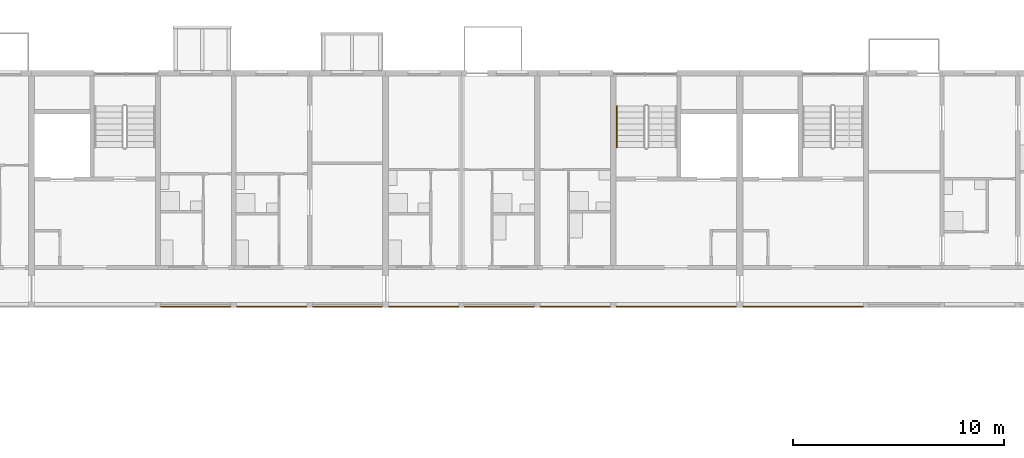
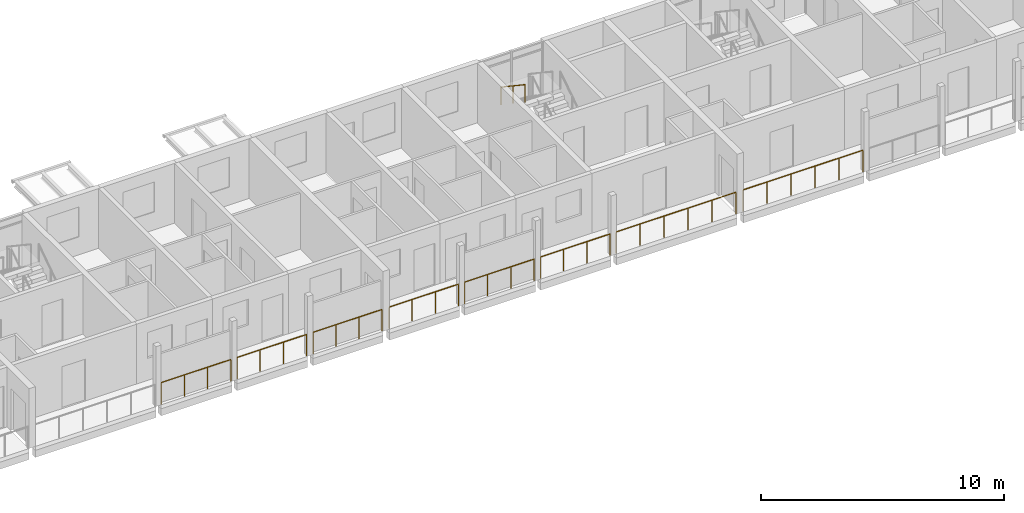
# One storey, part 93 of 100: 9 railings.
"""IFC4 building model written with IfcOpenShell, lengths in metres."""

from ifc_helpers import new_model, si_unit, direction, frame, origin, origin_2d, place, context, subcontext, project, spatial, circle, extrude, material, type_object, element, save


model = new_model("IFC4")

# Units and contexts
model_context = context("Model", 3, precision=1e-05, world=origin(), true_north=direction((0.0, 1.0)))
body_context = subcontext(model_context, "Body", "Model", "MODEL_VIEW")
ifc_project = project(units=[si_unit("LENGTHUNIT", "METRE"), si_unit("AREAUNIT", "SQUARE_METRE"), si_unit("VOLUMEUNIT", "CUBIC_METRE"), si_unit("PLANEANGLEUNIT", "RADIAN"), si_unit("MASSUNIT", "GRAM", prefix="KILO")], contexts=[model_context])

# Site, building, storey
site_placement = place(None, origin())
site = spatial("IfcSite", under=ifc_project, at=site_placement, CompositionType="ELEMENT")
building_placement = place(site_placement, origin())
building = spatial("IfcBuilding", under=site, at=building_placement, Name="Ridgestep Commons", CompositionType="ELEMENT")
storey_placement = place(building_placement, frame((0.0, 0.0, 9.0)))
storey = spatial("IfcBuildingStorey", under=building, at=storey_placement, Name="L03", CompositionType="ELEMENT", Elevation=9.0)

# Railings
ifc_material_1 = material(Name="Structural steel S355JR", Category="steel")
railing_type_1 = type_object("IfcRailingType", Name="Guard 1100", PredefinedType="GUARDRAIL", material=ifc_material_1)
railing_1_placement = place(storey_placement, frame((203.345947265625, 66.050048828125, 0.0)))
element("IfcRailing", 1, at=railing_1_placement, inside=storey, type_object=railing_type_1, Name="Gallery guard C 03.14", PredefinedType="GUARDRAIL", context=body_context, shape_type="SweptSolid", body=[
    extrude(circle(Radius=0.02392578125, at=origin_2d()), frame((0.0, 0.0, 1.076171875), z_axis=(1.0, 0.0, 0.0), x_axis=(0.0, 1.0, 0.0)), (0.0, 0.0, 1.0), 3.30810546875),
    extrude(circle(Radius=0.02099609375, at=origin_2d()), origin(), (0.0, 0.0, 1.0), 1.052001953125),
    extrude(circle(Radius=0.02099609375, at=origin_2d()), frame((1.102783203125, 0.0, 0.0)), (0.0, 0.0, 1.0), 1.052001953125),
    extrude(circle(Radius=0.02099609375, at=origin_2d()), frame((2.205322265625, 0.0, 0.0)), (0.0, 0.0, 1.0), 1.052001953125),
    extrude(circle(Radius=0.02099609375, at=origin_2d()), frame((3.30810546875, 0.0, 0.0)), (0.0, 0.0, 1.0), 1.052001953125),
])
railing_2_placement = place(storey_placement, frame((206.946044921875, 66.050048828125, 0.0)))
element("IfcRailing", 2, at=railing_2_placement, inside=storey, type_object=railing_type_1, Name="Gallery guard C 03.15", PredefinedType="GUARDRAIL", context=body_context, shape_type="SweptSolid", body=[
    extrude(circle(Radius=0.02392578125, at=origin_2d()), frame((0.0, 0.0, 1.076171875), z_axis=(1.0, 0.0, 0.0), x_axis=(0.0, 1.0, 0.0)), (0.0, 0.0, 1.0), 3.307861328125),
    extrude(circle(Radius=0.02099609375, at=origin_2d()), origin(), (0.0, 0.0, 1.0), 1.052001953125),
    extrude(circle(Radius=0.02099609375, at=origin_2d()), frame((1.1025390625, 0.0, 0.0)), (0.0, 0.0, 1.0), 1.052001953125),
    extrude(circle(Radius=0.02099609375, at=origin_2d()), frame((2.205322265625, 0.0, 0.0)), (0.0, 0.0, 1.0), 1.052001953125),
    extrude(circle(Radius=0.02099609375, at=origin_2d()), frame((3.307861328125, 0.0, 0.0)), (0.0, 0.0, 1.0), 1.052001953125),
])
for number, where, name in (
    (3, (210.5458984375, 66.050048828125, 0.0), "Gallery guard C 03.16"),
    (4, (214.1708984375, 66.050048828125, 0.0), "Gallery guard C 03.17"),
):
    element("IfcRailing", number, at=place(storey_placement, frame(where)), inside=storey, type_object=railing_type_1, Name=name, PredefinedType="GUARDRAIL", context=body_context, shape_type="SweptSolid", body=[
        extrude(circle(Radius=0.02392578125, at=origin_2d()), frame((0.0, 0.0, 1.076171875), z_axis=(1.0, 0.0, 0.0), x_axis=(0.0, 1.0, 0.0)), (0.0, 0.0, 1.0), 3.283203125),
        extrude(circle(Radius=0.02099609375, at=origin_2d()), origin(), (0.0, 0.0, 1.0), 1.052001953125),
        extrude(circle(Radius=0.02099609375, at=origin_2d()), frame((1.094482421875, 0.0, 0.0)), (0.0, 0.0, 1.0), 1.052001953125),
        extrude(circle(Radius=0.02099609375, at=origin_2d()), frame((2.188720703125, 0.0, 0.0)), (0.0, 0.0, 1.0), 1.052001953125),
        extrude(circle(Radius=0.02099609375, at=origin_2d()), frame((3.283203125, 0.0, 0.0)), (0.0, 0.0, 1.0), 1.052001953125),
    ])
railing_3_placement = place(storey_placement, frame((217.74609375, 66.050048828125, 0.0)))
element("IfcRailing", 5, at=railing_3_placement, inside=storey, type_object=railing_type_1, Name="Gallery guard C 03.18", PredefinedType="GUARDRAIL", context=body_context, shape_type="SweptSolid", body=[
    extrude(circle(Radius=0.02392578125, at=origin_2d()), frame((0.0, 0.0, 1.076171875), z_axis=(1.0, 0.0, 0.0), x_axis=(0.0, 1.0, 0.0)), (0.0, 0.0, 1.0), 3.307861328125),
    extrude(circle(Radius=0.02099609375, at=origin_2d()), origin(), (0.0, 0.0, 1.0), 1.052001953125),
    extrude(circle(Radius=0.02099609375, at=origin_2d()), frame((1.1025390625, 0.0, 0.0)), (0.0, 0.0, 1.0), 1.052001953125),
    extrude(circle(Radius=0.02099609375, at=origin_2d()), frame((2.205322265625, 0.0, 0.0)), (0.0, 0.0, 1.0), 1.052001953125),
    extrude(circle(Radius=0.02099609375, at=origin_2d()), frame((3.307861328125, 0.0, 0.0)), (0.0, 0.0, 1.0), 1.052001953125),
])
railing_4_placement = place(storey_placement, frame((221.345947265625, 66.050048828125, 0.0)))
element("IfcRailing", 6, at=railing_4_placement, inside=storey, type_object=railing_type_1, Name="Gallery guard C 03.19", PredefinedType="GUARDRAIL", context=body_context, shape_type="SweptSolid", body=[
    extrude(circle(Radius=0.02392578125, at=origin_2d()), frame((0.0, 0.0, 1.076171875), z_axis=(1.0, 0.0, 0.0), x_axis=(0.0, 1.0, 0.0)), (0.0, 0.0, 1.0), 3.30810546875),
    extrude(circle(Radius=0.02099609375, at=origin_2d()), origin(), (0.0, 0.0, 1.0), 1.052001953125),
    extrude(circle(Radius=0.02099609375, at=origin_2d()), frame((1.102783203125, 0.0, 0.0)), (0.0, 0.0, 1.0), 1.052001953125),
    extrude(circle(Radius=0.02099609375, at=origin_2d()), frame((2.205322265625, 0.0, 0.0)), (0.0, 0.0, 1.0), 1.052001953125),
    extrude(circle(Radius=0.02099609375, at=origin_2d()), frame((3.30810546875, 0.0, 0.0)), (0.0, 0.0, 1.0), 1.052001953125),
])
railing_5_placement = place(storey_placement, frame((224.946044921875, 66.050048828125, 0.0)))
element("IfcRailing", 7, at=railing_5_placement, inside=storey, type_object=railing_type_1, Name="Gallery guard C 03.20", PredefinedType="GUARDRAIL", context=body_context, shape_type="SweptSolid", body=[
    extrude(circle(Radius=0.02392578125, at=origin_2d()), frame((0.0, 0.0, 1.076171875), z_axis=(1.0, 0.0, 0.0), x_axis=(0.0, 1.0, 0.0)), (0.0, 0.0, 1.0), 5.682861328125),
    extrude(circle(Radius=0.02099609375, at=origin_2d()), origin(), (0.0, 0.0, 1.0), 1.052001953125),
    extrude(circle(Radius=0.02099609375, at=origin_2d()), frame((1.136474609375, 0.0, 0.0)), (0.0, 0.0, 1.0), 1.052001953125),
    extrude(circle(Radius=0.02099609375, at=origin_2d()), frame((2.273193359375, 0.0, 0.0)), (0.0, 0.0, 1.0), 1.052001953125),
    extrude(circle(Radius=0.02099609375, at=origin_2d()), frame((3.40966796875, 0.0, 0.0)), (0.0, 0.0, 1.0), 1.052001953125),
    extrude(circle(Radius=0.02099609375, at=origin_2d()), frame((4.54638671875, 0.0, 0.0)), (0.0, 0.0, 1.0), 1.052001953125),
    extrude(circle(Radius=0.02099609375, at=origin_2d()), frame((5.682861328125, 0.0, 0.0)), (0.0, 0.0, 1.0), 1.052001953125),
])
railing_6_placement = place(storey_placement, frame((230.970947265625, 66.050048828125, 0.0)))
element("IfcRailing", 8, at=railing_6_placement, inside=storey, type_object=railing_type_1, Name="Gallery guard C 03.21", PredefinedType="GUARDRAIL", context=body_context, shape_type="SweptSolid", body=[
    extrude(circle(Radius=0.02392578125, at=origin_2d()), frame((0.0, 0.0, 1.076171875), z_axis=(1.0, 0.0, 0.0), x_axis=(0.0, 1.0, 0.0)), (0.0, 0.0, 1.0), 5.68310546875),
    extrude(circle(Radius=0.02099609375, at=origin_2d()), origin(), (0.0, 0.0, 1.0), 1.052001953125),
    extrude(circle(Radius=0.02099609375, at=origin_2d()), frame((1.13671875, 0.0, 0.0)), (0.0, 0.0, 1.0), 1.052001953125),
    extrude(circle(Radius=0.02099609375, at=origin_2d()), frame((2.273193359375, 0.0, 0.0)), (0.0, 0.0, 1.0), 1.052001953125),
    extrude(circle(Radius=0.02099609375, at=origin_2d()), frame((3.409912109375, 0.0, 0.0)), (0.0, 0.0, 1.0), 1.052001953125),
    extrude(circle(Radius=0.02099609375, at=origin_2d()), frame((4.54638671875, 0.0, 0.0)), (0.0, 0.0, 1.0), 1.052001953125),
    extrude(circle(Radius=0.02099609375, at=origin_2d()), frame((5.68310546875, 0.0, 0.0)), (0.0, 0.0, 1.0), 1.052001953125),
])
ifc_material_2 = material(Name="Structural steel S355JR", Category="steel")
railing_type_2 = type_object("IfcRailingType", Name="Stair handrail 900", PredefinedType="HANDRAIL", material=ifc_material_2)
railing_7_placement = place(storey_placement, frame((224.97509765625, 75.56005859375, 1.6875)))
element("IfcRailing", 9, at=railing_7_placement, inside=storey, type_object=railing_type_2, Name="L03 C5C stair handrail 2", PredefinedType="HANDRAIL", context=body_context, shape_type="SweptSolid", body=[
    extrude(circle(Radius=0.02392578125, at=origin_2d()), frame((0.0, 0.0, 0.8759765625), z_axis=(0.0, -0.830902050051, 0.556418712142), x_axis=(1.0, 0.0, 0.0)), (0.0, 0.0, 1.0), 2.35888671875),
    extrude(circle(Radius=0.02099609375, at=origin_2d()), origin(), (0.0, 0.0, 1.0), 0.851806640625),
    extrude(circle(Radius=0.02099609375, at=origin_2d()), frame((0.0, -0.97998046875, 0.65625)), (0.0, 0.0, 1.0), 0.851806640625),
    extrude(circle(Radius=0.02099609375, at=origin_2d()), frame((0.0, -1.9599609375, 1.3125)), (0.0, 0.0, 1.0), 0.851806640625),
])

save(model, "model.ifc")
